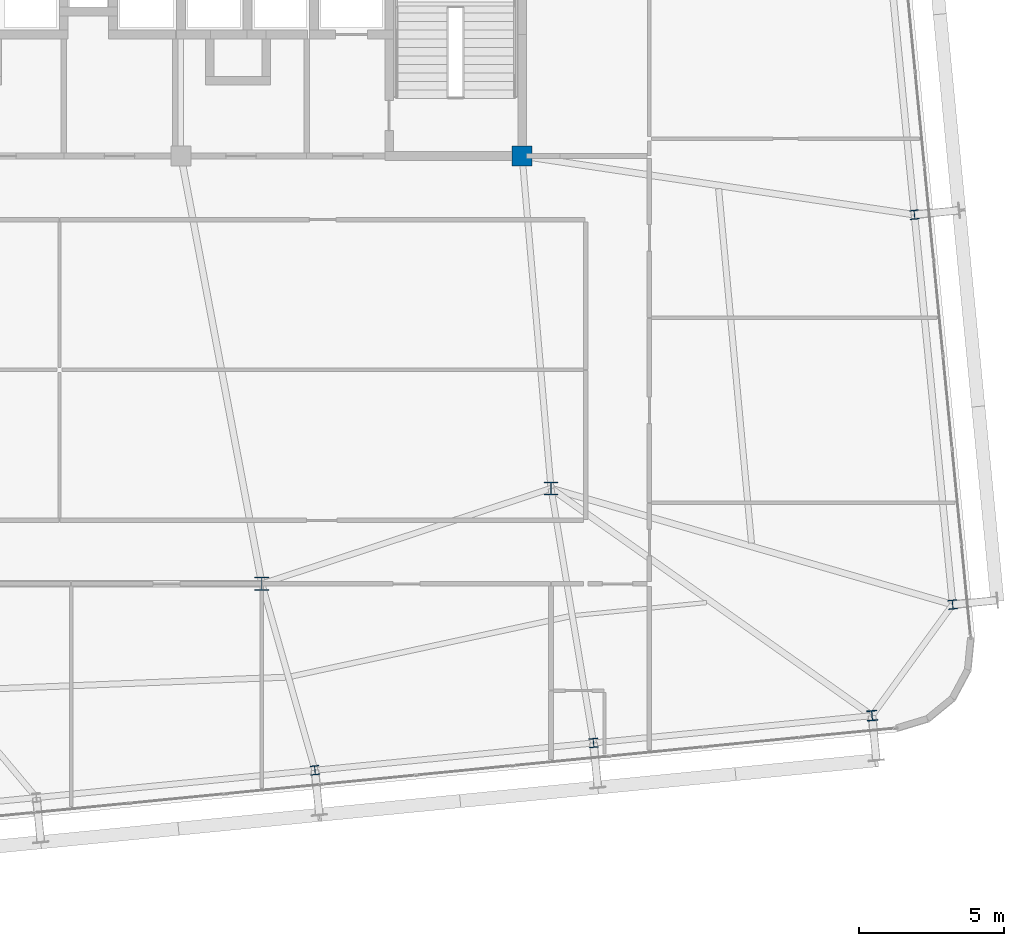
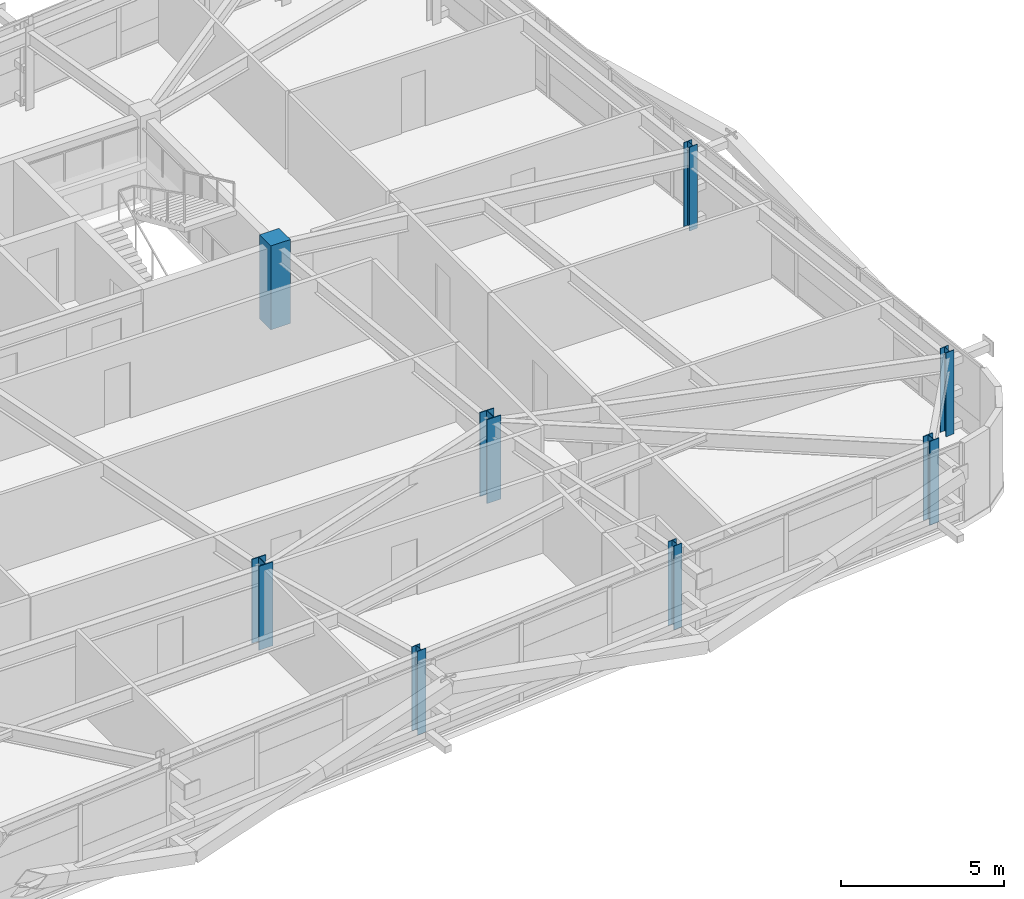
# One storey, part 2 of 52: 8 columns.
"""IFC4 building model written with IfcOpenShell, lengths in metres."""

from ifc_helpers import new_model, si_unit, direction, frame, origin, origin_2d, place, context, subcontext, project, spatial, rectangle, i_section, extrude, source, transform, mapped, material, material_profile, profile_set, type_object, element, save


model = new_model("IFC4")

# Units and contexts
model_context = context("Model", 3, precision=1e-05, world=origin(), true_north=direction((0.0, 1.0)))
body_context = subcontext(model_context, "Body", "Model", "MODEL_VIEW")
ifc_project = project(units=[si_unit("LENGTHUNIT", "METRE"), si_unit("AREAUNIT", "SQUARE_METRE"), si_unit("VOLUMEUNIT", "CUBIC_METRE"), si_unit("PLANEANGLEUNIT", "RADIAN"), si_unit("MASSUNIT", "GRAM", prefix="KILO")], contexts=[model_context])

# Site, building, storey
site_placement = place(None, origin())
site = spatial("IfcSite", under=ifc_project, at=site_placement, CompositionType="ELEMENT")
building_placement = place(site_placement, origin())
building = spatial("IfcBuilding", under=site, at=building_placement, Name="Taldren Reach Tower", CompositionType="ELEMENT")
storey_placement = place(building_placement, frame((0.0, 0.0, 74.550048828125)))
storey = spatial("IfcBuildingStorey", under=building, at=storey_placement, Name="L22", CompositionType="ELEMENT", Elevation=74.550048828125)

# Columns
ifc_material_1 = material(Name="Steel Gr 350 (350PLUS)", Category="steel")
ifc_material_profile_1 = material_profile(ifc_material_1, i_section(OverallWidth=0.5, OverallDepth=0.464111328125, WebThickness=0.02197265625, FlangeThickness=0.033935546875, at=origin_2d()), Name="500WC340")
ifc_profile_set_1 = profile_set([ifc_material_profile_1], Name="Steel Gr 350 (350PLUS)")
column_type_1 = type_object("IfcColumnType", Name="COL-WC500B", PredefinedType="COLUMN", material=ifc_profile_set_1)
shared_shape_1 = source(origin(), body_context, "Body", "SweptSolid", [
    extrude(i_section(OverallWidth=0.5, OverallDepth=0.464111328125, WebThickness=0.02197265625, FlangeThickness=0.033935546875, at=origin_2d()), origin(), (0.0, 0.0, 1.0), 3.14990234375),
])
for number, where, z_axis, x_axis, name in (
    (1, (42.0, 9.199951171875, 0.0), (0.0, 0.0, 1.0), (1.0, 0.0, 0.0), "Mega column MC-PJE L22"),
    (2, (52.0, 12.5, 0.0), (0.0, 0.0, 1.0), (1.0, 0.0, 0.0), "Mega column MC-SE L22"),
):
    element("IfcColumn", number, at=place(storey_placement, frame(where, z_axis=z_axis, x_axis=x_axis)), inside=storey, type_object=column_type_1, Name=name, PredefinedType="COLUMN", context=body_context, shape_type="MappedRepresentation", body=[
        mapped(shared_shape_1, transform((0.0, 0.0, 0.0), scale=1.0)),
    ])
ifc_material_2 = material(Name="Concrete S65 (65 MPa)", Category="concrete")
ifc_material_profile_2 = material_profile(ifc_material_2, rectangle(XDim=0.699951171875, YDim=0.699951171875, at=origin_2d()), Name="RC-700x700")
ifc_profile_set_2 = profile_set([ifc_material_profile_2], Name="Concrete S65 (65 MPa)")
column_type_2 = type_object("IfcColumnType", Name="COL-RC700", PredefinedType="COLUMN", material=ifc_profile_set_2)
shared_shape_2 = source(origin(), body_context, "Body", "SweptSolid", [
    extrude(rectangle(XDim=0.699951171875, YDim=0.699951171875, at=origin_2d()), origin(), (0.0, 0.0, 1.0), 3.14990234375),
])
column_1_placement = place(storey_placement, frame((51.0, 24.0, 0.0), z_axis=(0.0, 0.0, 1.0), x_axis=(1.0, 0.0, 0.0)))
element("IfcColumn", 3, at=column_1_placement, inside=storey, type_object=column_type_2, Name="Mega column MC-C4 L22", PredefinedType="COLUMN", context=body_context, shape_type="MappedRepresentation", body=[
    mapped(shared_shape_2, transform((0.0, 0.0, 0.0), scale=1.0)),
])
ifc_material_profile_3 = material_profile(ifc_material_1, i_section(OverallWidth=0.35009765625, OverallDepth=0.35595703125, WebThickness=0.01806640625, FlangeThickness=0.028076171875, at=origin_2d()), Name="350WC197")
ifc_profile_set_3 = profile_set([ifc_material_profile_3], Name="Steel Gr 350 (350PLUS)")
column_type_3 = type_object("IfcColumnType", Name="COL-WC350", PredefinedType="COLUMN", material=ifc_profile_set_3)
shared_shape_3 = source(origin(), body_context, "Body", "SweptSolid", [
    extrude(i_section(OverallWidth=0.35009765625, OverallDepth=0.35595703125, WebThickness=0.01806640625, FlangeThickness=0.028076171875, at=origin_2d()), origin(), (0.0, 0.0, 1.0), 3.14990234375),
])
column_2_placement = place(storey_placement, frame((63.103271484375, 4.64306640625, 0.0), z_axis=(0.0, 0.0, 1.0), x_axis=(0.995227399982, 0.097582899759, 0.0)))
element("IfcColumn", 4, at=column_2_placement, inside=storey, type_object=column_type_3, Name="Block B2 perimeter column S6 L22", PredefinedType="COLUMN", context=body_context, shape_type="MappedRepresentation", body=[
    mapped(shared_shape_3, transform((0.0, 0.0, 0.0), scale=1.0)),
])
ifc_material_profile_4 = material_profile(ifc_material_1, i_section(OverallWidth=0.306884765625, OverallDepth=0.31494140625, WebThickness=0.011962890625, FlangeThickness=0.018798828125, at=origin_2d()), Name="310UC118")
ifc_profile_set_4 = profile_set([ifc_material_profile_4], Name="Steel Gr 350 (350PLUS)")
column_type_4 = type_object("IfcColumnType", Name="COL-UC310B", PredefinedType="COLUMN", material=ifc_profile_set_4)
shared_shape_4 = source(origin(), body_context, "Body", "SweptSolid", [
    extrude(i_section(OverallWidth=0.306884765625, OverallDepth=0.31494140625, WebThickness=0.011962890625, FlangeThickness=0.018798828125, at=origin_2d()), origin(), (0.0, 0.0, 1.0), 3.14990234375),
])
for number, where, z_axis, x_axis, name in (
    (5, (43.83544921875, 2.75390625, 0.0), (0.0, 0.0, 1.0), (0.995227399982, 0.097582899759, 0.0), "Block B2 perimeter column S4 L22"),
    (6, (53.469482421875, 3.698486328125, 0.0), (0.0, 0.0, 1.0), (0.995227399982, 0.097582899759, 0.0), "Block B2 perimeter column S5 L22"),
    (7, (65.8916015625, 8.483642578125, 0.0), (0.0, 0.0, 1.0), (0.995227399982, 0.097582899759, 0.0), "Block B2 perimeter column E1 L22"),
    (8, (64.569580078125, 21.968994140625, 0.0), (0.0, 0.0, 1.0), (0.995227399982, 0.097582899759, 0.0), "Block B2 perimeter column E2 L22"),
):
    element("IfcColumn", number, at=place(storey_placement, frame(where, z_axis=z_axis, x_axis=x_axis)), inside=storey, type_object=column_type_4, Name=name, PredefinedType="COLUMN", context=body_context, shape_type="MappedRepresentation", body=[
        mapped(shared_shape_4, transform((0.0, 0.0, 0.0), scale=1.0)),
    ])

save(model, "model.ifc")
